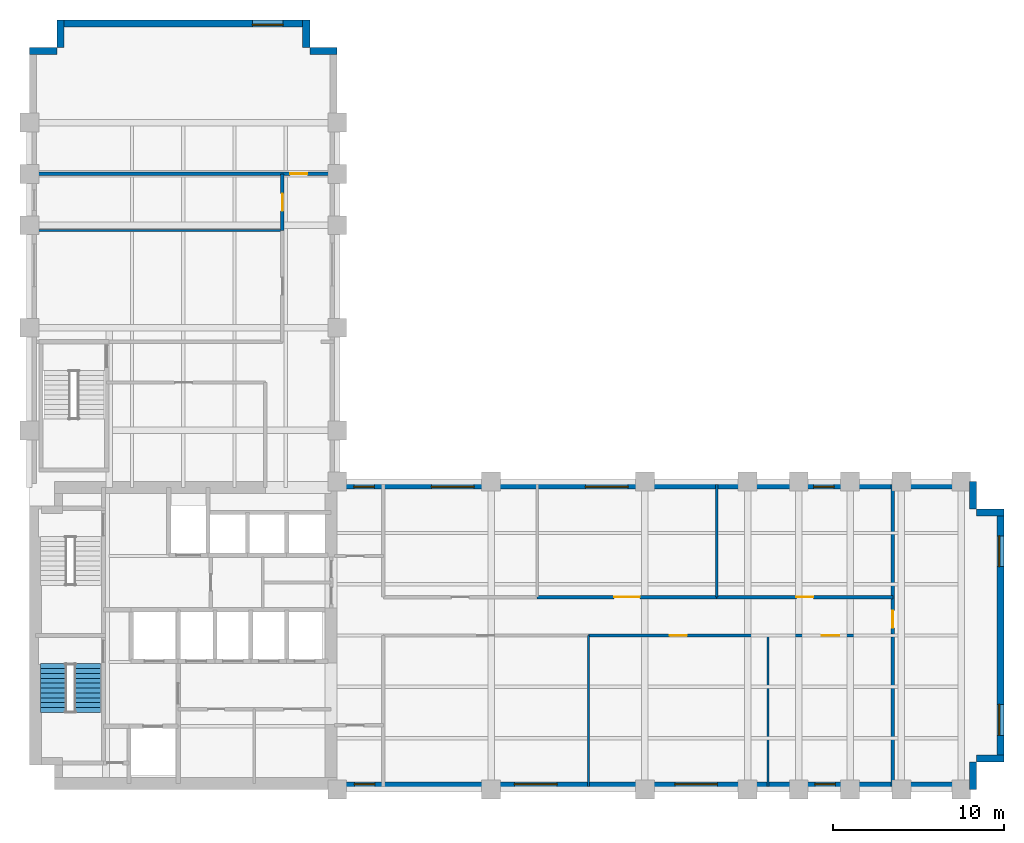
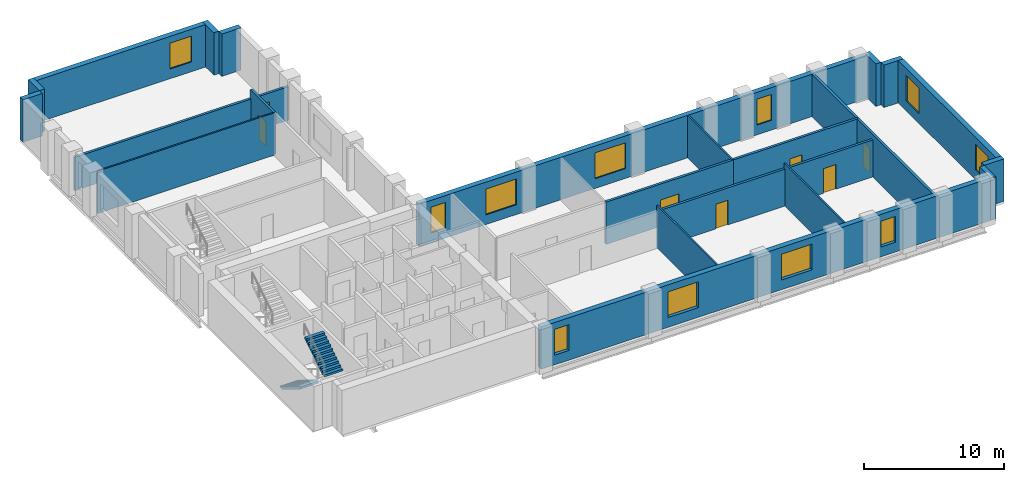
# One storey, part 5 of 7: 23 walls, 11 windows, 7 doors, 2 stair flights, 18 openings, 1 element without a shape of its own.
"""IFC4 building model written with IfcOpenShell, lengths in metres."""

from ifc_helpers import new_model, si_unit, direction, frame, frame_2d, origin, place, context, subcontext, project, spatial, polyline, rectangle, outline, extrude, material, layer, layer_set, type_object, element, fill, aggregate, save


model = new_model("IFC4")

# Units and contexts
model_context = context("Model", 3, precision=1e-05, world=origin(), true_north=direction((0.0, 1.0)))
body_context = subcontext(model_context, "Body", "Model", "MODEL_VIEW")
ifc_project = project(units=[si_unit("LENGTHUNIT", "METRE"), si_unit("AREAUNIT", "SQUARE_METRE"), si_unit("VOLUMEUNIT", "CUBIC_METRE"), si_unit("PLANEANGLEUNIT", "RADIAN"), si_unit("MASSUNIT", "GRAM", prefix="KILO")], contexts=[model_context])

# Site, building, storey
site_placement = place(None, origin())
site = spatial("IfcSite", under=ifc_project, at=site_placement, CompositionType="ELEMENT")
building_placement = place(site_placement, origin())
building = spatial("IfcBuilding", under=site, at=building_placement, Name="Mawjdan Bourse Tower", CompositionType="ELEMENT")
storey_placement = place(building_placement, frame((0.0, 0.0, 112.800048828125)))
storey = spatial("IfcBuildingStorey", under=building, at=storey_placement, Name="L26", CompositionType="ELEMENT", Elevation=112.800048828125)

# Wall, openings, windows
ifc_material_1 = material(Name="Brick Masonry Buff", Category="masonry")
ifc_layer_1 = layer(ifc_material_1, 0.419921875)
ifc_layer_set_1 = layer_set([ifc_layer_1], Name="Brick Masonry Buff")
wall_type_1 = type_object("IfcWallType", Name="WL-BRK-BUFF-420", PredefinedType="STANDARD", material=ifc_layer_set_1)
wall_1_placement = place(storey_placement, frame((23.89990234375, 3.2099609375, 0.0), z_axis=(0.0, 0.0, 1.0), x_axis=(1.0, 0.0, 0.0)))
wall_1 = element("IfcWall", 1, at=wall_1_placement, inside=storey, type_object=wall_type_1, Name="L26 Exterior Brick Wall 1", PredefinedType="STANDARD", context=body_context, shape_type="SweptSolid", body=[
    extrude(rectangle(XDim=37.5, YDim=0.419921875, at=frame_2d((18.75, 0.0))), origin(), (0.0, 0.0, 1.0), 3.699951171875),
])
opening_1_placement = place(wall_1_placement, frame((10.46875, 0.0, 0.85009765625)))
opening_1 = element("IfcOpeningElement", 2, at=opening_1_placement, cuts=wall_1, Name="Opening W-L26-01", PredefinedType="OPENING", context=body_context, shape_type="SweptSolid", body=[
    extrude(rectangle(XDim=2.5, YDim=2.25, at=frame_2d((1.25, 1.125))), frame((0.0, 0.219970703125, 0.0), z_axis=(0.0, -1.0, 0.0), x_axis=(1.0, 0.0, 0.0)), (0.0, 0.0, 1.0), 0.43994140625),
])
opening_2_placement = place(wall_1_placement, frame((19.84375, 0.0, 0.85009765625)))
opening_2 = element("IfcOpeningElement", 3, at=opening_2_placement, cuts=wall_1, Name="Opening W-L26-02", PredefinedType="OPENING", context=body_context, shape_type="SweptSolid", body=[
    extrude(rectangle(XDim=2.5, YDim=2.25, at=frame_2d((1.25, 1.125))), frame((0.0, 0.219970703125, 0.0), z_axis=(0.0, -1.0, 0.0), x_axis=(1.0, 0.0, 0.0)), (0.0, 0.0, 1.0), 0.43994140625),
])
opening_3_placement = place(wall_1_placement, frame((1.10009765625, 0.0, 0.85009765625)))
opening_3 = element("IfcOpeningElement", 4, at=opening_3_placement, cuts=wall_1, Name="Opening W-L26-08", PredefinedType="OPENING", context=body_context, shape_type="SweptSolid", body=[
    extrude(rectangle(XDim=1.199951171875, YDim=2.25, at=frame_2d((0.60009765625, 1.125))), frame((0.0, 0.219970703125, 0.0), z_axis=(0.0, -1.0, 0.0), x_axis=(1.0, 0.0, 0.0)), (0.0, 0.0, 1.0), 0.43994140625),
])
opening_4_placement = place(wall_1_placement, frame((28.0361328125, 0.0, 0.85009765625)))
opening_4 = element("IfcOpeningElement", 5, at=opening_4_placement, cuts=wall_1, Name="Opening W-L26-10", PredefinedType="OPENING", context=body_context, shape_type="SweptSolid", body=[
    extrude(rectangle(XDim=1.199951171875, YDim=2.25, at=frame_2d((0.60009765625, 1.125))), frame((0.0, 0.219970703125, 0.0), z_axis=(0.0, -1.0, 0.0), x_axis=(1.0, 0.0, 0.0)), (0.0, 0.0, 1.0), 0.43994140625),
])
ifc_material_2 = material(Name="Solar-Control Clear Double Glazing", Category="glass")
window_type_1 = type_object("IfcWindowType", Name="WN-Z2-1200", PartitioningType="SINGLE_PANEL", PredefinedType="WINDOW", material=ifc_material_2)
window_1_placement = place(opening_3_placement, origin())
window_1 = element("IfcWindow", 6, at=window_1_placement, inside=storey, type_object=window_type_1, Name="L26 Deep-Set Masonry Window W-L26-08", OverallHeight=2.25, OverallWidth=1.199951171875, PartitioningType="SINGLE_PANEL", PredefinedType="WINDOW", context=body_context, shape_type="SweptSolid", body=[
    extrude(rectangle(XDim=1.199951171875, YDim=2.25, at=frame_2d((0.60009765625, 1.125))), frame((0.0, 0.110107421875, 0.0), z_axis=(0.0, -1.0, 0.0), x_axis=(1.0, 0.0, 0.0)), (0.0, 0.0, 1.0), 0.06005859375),
])
fill(opening_3, window_1)
window_2_placement = place(opening_4_placement, origin())
window_2 = element("IfcWindow", 7, at=window_2_placement, inside=storey, type_object=window_type_1, Name="L26 Deep-Set Masonry Window W-L26-10", OverallHeight=2.25, OverallWidth=1.199951171875, PartitioningType="SINGLE_PANEL", PredefinedType="WINDOW", context=body_context, shape_type="SweptSolid", body=[
    extrude(rectangle(XDim=1.199951171875, YDim=2.25, at=frame_2d((0.60009765625, 1.125))), frame((0.0, 0.110107421875, 0.0), z_axis=(0.0, -1.0, 0.0), x_axis=(1.0, 0.0, 0.0)), (0.0, 0.0, 1.0), 0.06005859375),
])
fill(opening_4, window_2)
window_type_2 = type_object("IfcWindowType", Name="WN-Z2-2500", PartitioningType="SINGLE_PANEL", PredefinedType="WINDOW", material=ifc_material_2)
window_3_placement = place(opening_1_placement, origin())
window_3 = element("IfcWindow", 8, at=window_3_placement, inside=storey, type_object=window_type_2, Name="L26 Deep-Set Masonry Window W-L26-01", OverallHeight=2.25, OverallWidth=2.5, PartitioningType="SINGLE_PANEL", PredefinedType="WINDOW", context=body_context, shape_type="SweptSolid", body=[
    extrude(rectangle(XDim=2.5, YDim=2.25, at=frame_2d((1.25, 1.125))), frame((0.0, 0.110107421875, 0.0), z_axis=(0.0, -1.0, 0.0), x_axis=(1.0, 0.0, 0.0)), (0.0, 0.0, 1.0), 0.06005859375),
])
fill(opening_1, window_3)
window_4_placement = place(opening_2_placement, origin())
window_4 = element("IfcWindow", 9, at=window_4_placement, inside=storey, type_object=window_type_2, Name="L26 Deep-Set Masonry Window W-L26-02", OverallHeight=2.25, OverallWidth=2.5, PartitioningType="SINGLE_PANEL", PredefinedType="WINDOW", context=body_context, shape_type="SweptSolid", body=[
    extrude(rectangle(XDim=2.5, YDim=2.25, at=frame_2d((1.25, 1.125))), frame((0.0, 0.110107421875, 0.0), z_axis=(0.0, -1.0, 0.0), x_axis=(1.0, 0.0, 0.0)), (0.0, 0.0, 1.0), 0.06005859375),
])
fill(opening_2, window_4)

# Walls
for number, where, z_axis, x_axis, name in (
    (10, (61.18994140625, 3.0, 0.0), (0.0, 0.0, 1.0), (0.0, 1.0, 0.0), "L26 Exterior Brick Wall 2"),
    (11, (61.39990234375, 4.81005859375, 0.0), (0.0, 0.0, 1.0), (1.0, 0.0, 0.0), "L26 Exterior Brick Wall 3"),
):
    element("IfcWall", number, at=place(storey_placement, frame(where, z_axis=z_axis, x_axis=x_axis)), inside=storey, type_object=wall_type_1, Name=name, PredefinedType="STANDARD", context=body_context, shape_type="SweptSolid", body=[
        extrude(rectangle(XDim=1.60009765625, YDim=0.419921875, at=frame_2d((0.800048828125, 0.0))), origin(), (0.0, 0.0, 1.0), 3.699951171875),
    ])

# Wall, openings, windows
wall_2_placement = place(storey_placement, frame((62.7900390625, 4.60009765625, 0.0), z_axis=(0.0, 0.0, 1.0), x_axis=(0.0, 1.0, 0.0)))
wall_2 = element("IfcWall", 12, at=wall_2_placement, inside=storey, type_object=wall_type_1, Name="L26 Exterior Brick Wall 4", PredefinedType="STANDARD", context=body_context, shape_type="SweptSolid", body=[
    extrude(rectangle(XDim=14.7998046875, YDim=0.419921875, at=frame_2d((7.39990234375, 0.0))), origin(), (0.0, 0.0, 1.0), 3.699951171875),
])
opening_5_placement = place(wall_2_placement, frame((1.566650390625, 0.0, 0.85009765625)))
opening_5 = element("IfcOpeningElement", 13, at=opening_5_placement, cuts=wall_2, Name="Opening W-L26-03", PredefinedType="OPENING", context=body_context, shape_type="SweptSolid", body=[
    extrude(rectangle(XDim=1.800048828125, YDim=2.25, at=frame_2d((0.89990234375, 1.125))), frame((0.0, 0.219970703125, 0.0), z_axis=(0.0, -1.0, 0.0), x_axis=(1.0, 0.0, 0.0)), (0.0, 0.0, 1.0), 0.43994140625),
])
opening_6_placement = place(wall_2_placement, frame((11.433349609375, 0.0, 0.85009765625)))
opening_6 = element("IfcOpeningElement", 14, at=opening_6_placement, cuts=wall_2, Name="Opening W-L26-04", PredefinedType="OPENING", context=body_context, shape_type="SweptSolid", body=[
    extrude(rectangle(XDim=1.800048828125, YDim=2.25, at=frame_2d((0.89990234375, 1.125))), frame((0.0, 0.219970703125, 0.0), z_axis=(0.0, -1.0, 0.0), x_axis=(1.0, 0.0, 0.0)), (0.0, 0.0, 1.0), 0.43994140625),
])
window_type_3 = type_object("IfcWindowType", Name="WN-Z2-1800", PartitioningType="SINGLE_PANEL", PredefinedType="WINDOW", material=ifc_material_2)
window_5_placement = place(opening_5_placement, origin())
window_5 = element("IfcWindow", 15, at=window_5_placement, inside=storey, type_object=window_type_3, Name="L26 Deep-Set Masonry Window W-L26-03", OverallHeight=2.25, OverallWidth=1.800048828125, PartitioningType="SINGLE_PANEL", PredefinedType="WINDOW", context=body_context, shape_type="SweptSolid", body=[
    extrude(rectangle(XDim=1.800048828125, YDim=2.25, at=frame_2d((0.89990234375, 1.125))), frame((0.0, 0.110107421875, 0.0), z_axis=(0.0, -1.0, 0.0), x_axis=(1.0, 0.0, 0.0)), (0.0, 0.0, 1.0), 0.06005859375),
])
fill(opening_5, window_5)
window_6_placement = place(opening_6_placement, origin())
window_6 = element("IfcWindow", 16, at=window_6_placement, inside=storey, type_object=window_type_3, Name="L26 Deep-Set Masonry Window W-L26-04", OverallHeight=2.25, OverallWidth=1.800048828125, PartitioningType="SINGLE_PANEL", PredefinedType="WINDOW", context=body_context, shape_type="SweptSolid", body=[
    extrude(rectangle(XDim=1.800048828125, YDim=2.25, at=frame_2d((0.89990234375, 1.125))), frame((0.0, 0.110107421875, 0.0), z_axis=(0.0, -1.0, 0.0), x_axis=(1.0, 0.0, 0.0)), (0.0, 0.0, 1.0), 0.06005859375),
])
fill(opening_6, window_6)

# Walls
for number, where, z_axis, x_axis, name in (
    (17, (63.0, 19.18994140625, 0.0), (0.0, 0.0, 1.0), (-1.0, 0.0, 0.0), "L26 Exterior Brick Wall 5"),
    (18, (61.18994140625, 19.39990234375, 0.0), (0.0, 0.0, 1.0), (0.0, 1.0, 0.0), "L26 Exterior Brick Wall 6"),
):
    element("IfcWall", number, at=place(storey_placement, frame(where, z_axis=z_axis, x_axis=x_axis)), inside=storey, type_object=wall_type_1, Name=name, PredefinedType="STANDARD", context=body_context, shape_type="SweptSolid", body=[
        extrude(rectangle(XDim=1.60009765625, YDim=0.419921875, at=frame_2d((0.800048828125, 0.0))), origin(), (0.0, 0.0, 1.0), 3.699951171875),
    ])

# Wall, openings, windows
wall_3_placement = place(storey_placement, frame((61.39990234375, 20.7900390625, 0.0), z_axis=(0.0, 0.0, 1.0), x_axis=(-1.0, 0.0, 0.0)))
wall_3 = element("IfcWall", 19, at=wall_3_placement, inside=storey, type_object=wall_type_1, Name="L26 Exterior Brick Wall 7", PredefinedType="STANDARD", context=body_context, shape_type="SweptSolid", body=[
    extrude(rectangle(XDim=37.39990234375, YDim=0.419921875, at=frame_2d((18.699951171875, 0.0))), origin(), (0.0, 0.0, 1.0), 3.699951171875),
])
opening_7_placement = place(wall_3_placement, frame((35.22216796875, 0.0, 0.85009765625)))
opening_7 = element("IfcOpeningElement", 20, at=opening_7_placement, cuts=wall_3, Name="Opening W-L26-09", PredefinedType="OPENING", context=body_context, shape_type="SweptSolid", body=[
    extrude(rectangle(XDim=1.199951171875, YDim=2.25, at=frame_2d((0.60009765625, 1.125))), frame((0.0, 0.219970703125, 0.0), z_axis=(0.0, -1.0, 0.0), x_axis=(1.0, 0.0, 0.0)), (0.0, 0.0, 1.0), 0.43994140625),
])
opening_8_placement = place(wall_3_placement, frame((29.38623046875, 0.0, 0.85009765625)))
opening_8 = element("IfcOpeningElement", 21, at=opening_8_placement, cuts=wall_3, Name="Opening W-L26-11", PredefinedType="OPENING", context=body_context, shape_type="SweptSolid", body=[
    extrude(rectangle(XDim=2.5, YDim=2.25, at=frame_2d((1.25, 1.125))), frame((0.0, 0.219970703125, 0.0), z_axis=(0.0, -1.0, 0.0), x_axis=(1.0, 0.0, 0.0)), (0.0, 0.0, 1.0), 0.43994140625),
])
opening_9_placement = place(wall_3_placement, frame((20.38623046875, 0.0, 0.85009765625)))
opening_9 = element("IfcOpeningElement", 22, at=opening_9_placement, cuts=wall_3, Name="Opening W-L26-12", PredefinedType="OPENING", context=body_context, shape_type="SweptSolid", body=[
    extrude(rectangle(XDim=2.5, YDim=2.25, at=frame_2d((1.25, 1.125))), frame((0.0, 0.219970703125, 0.0), z_axis=(0.0, -1.0, 0.0), x_axis=(1.0, 0.0, 0.0)), (0.0, 0.0, 1.0), 0.43994140625),
])
opening_10_placement = place(wall_3_placement, frame((8.336181640625, 0.0, 0.85009765625)))
opening_10 = element("IfcOpeningElement", 23, at=opening_10_placement, cuts=wall_3, Name="Opening W-L26-13", PredefinedType="OPENING", context=body_context, shape_type="SweptSolid", body=[
    extrude(rectangle(XDim=1.199951171875, YDim=2.25, at=frame_2d((0.60009765625, 1.125))), frame((0.0, 0.219970703125, 0.0), z_axis=(0.0, -1.0, 0.0), x_axis=(1.0, 0.0, 0.0)), (0.0, 0.0, 1.0), 0.43994140625),
])
window_7_placement = place(opening_7_placement, origin())
window_7 = element("IfcWindow", 24, at=window_7_placement, inside=storey, type_object=window_type_1, Name="L26 Deep-Set Masonry Window W-L26-09", OverallHeight=2.25, OverallWidth=1.199951171875, PartitioningType="SINGLE_PANEL", PredefinedType="WINDOW", context=body_context, shape_type="SweptSolid", body=[
    extrude(rectangle(XDim=1.199951171875, YDim=2.25, at=frame_2d((0.60009765625, 1.125))), frame((0.0, 0.110107421875, 0.0), z_axis=(0.0, -1.0, 0.0), x_axis=(1.0, 0.0, 0.0)), (0.0, 0.0, 1.0), 0.06005859375),
])
fill(opening_7, window_7)
window_8_placement = place(opening_10_placement, origin())
window_8 = element("IfcWindow", 25, at=window_8_placement, inside=storey, type_object=window_type_1, Name="L26 Deep-Set Masonry Window W-L26-13", OverallHeight=2.25, OverallWidth=1.199951171875, PartitioningType="SINGLE_PANEL", PredefinedType="WINDOW", context=body_context, shape_type="SweptSolid", body=[
    extrude(rectangle(XDim=1.199951171875, YDim=2.25, at=frame_2d((0.60009765625, 1.125))), frame((0.0, 0.110107421875, 0.0), z_axis=(0.0, -1.0, 0.0), x_axis=(1.0, 0.0, 0.0)), (0.0, 0.0, 1.0), 0.06005859375),
])
fill(opening_10, window_8)
window_9_placement = place(opening_8_placement, origin())
window_9 = element("IfcWindow", 26, at=window_9_placement, inside=storey, type_object=window_type_2, Name="L26 Deep-Set Masonry Window W-L26-11", OverallHeight=2.25, OverallWidth=2.5, PartitioningType="SINGLE_PANEL", PredefinedType="WINDOW", context=body_context, shape_type="SweptSolid", body=[
    extrude(rectangle(XDim=2.5, YDim=2.25, at=frame_2d((1.25, 1.125))), frame((0.0, 0.110107421875, 0.0), z_axis=(0.0, -1.0, 0.0), x_axis=(1.0, 0.0, 0.0)), (0.0, 0.0, 1.0), 0.06005859375),
])
fill(opening_8, window_9)
window_10_placement = place(opening_9_placement, origin())
window_10 = element("IfcWindow", 27, at=window_10_placement, inside=storey, type_object=window_type_2, Name="L26 Deep-Set Masonry Window W-L26-12", OverallHeight=2.25, OverallWidth=2.5, PartitioningType="SINGLE_PANEL", PredefinedType="WINDOW", context=body_context, shape_type="SweptSolid", body=[
    extrude(rectangle(XDim=2.5, YDim=2.25, at=frame_2d((1.25, 1.125))), frame((0.0, 0.110107421875, 0.0), z_axis=(0.0, -1.0, 0.0), x_axis=(1.0, 0.0, 0.0)), (0.0, 0.0, 1.0), 0.06005859375),
])
fill(opening_9, window_10)

# Walls
for number, where, z_axis, x_axis, name in (
    (28, (24.0, 46.18994140625, 0.0), (0.0, 0.0, 1.0), (-1.0, 0.0, 0.0), "L26 Exterior Brick Wall 9"),
    (29, (22.18994140625, 46.39990234375, 0.0), (0.0, 0.0, 1.0), (0.0, 1.0, 0.0), "L26 Exterior Brick Wall 10"),
):
    element("IfcWall", number, at=place(storey_placement, frame(where, z_axis=z_axis, x_axis=x_axis)), inside=storey, type_object=wall_type_1, Name=name, PredefinedType="STANDARD", context=body_context, shape_type="SweptSolid", body=[
        extrude(rectangle(XDim=1.60009765625, YDim=0.419921875, at=frame_2d((0.800048828125, 0.0))), origin(), (0.0, 0.0, 1.0), 3.699951171875),
    ])

# Wall, opening, window
wall_4_placement = place(storey_placement, frame((22.39990234375, 47.7900390625, 0.0), z_axis=(0.0, 0.0, 1.0), x_axis=(-1.0, 0.0, 0.0)))
wall_4 = element("IfcWall", 30, at=wall_4_placement, inside=storey, type_object=wall_type_1, Name="L26 Exterior Brick Wall 11", PredefinedType="STANDARD", context=body_context, shape_type="SweptSolid", body=[
    extrude(rectangle(XDim=14.7998046875, YDim=0.419921875, at=frame_2d((7.39990234375, 0.0))), origin(), (0.0, 0.0, 1.0), 3.699951171875),
])
opening_11_placement = place(wall_4_placement, frame((1.566650390625, 0.0, 0.85009765625)))
opening_11 = element("IfcOpeningElement", 31, at=opening_11_placement, cuts=wall_4, Name="Opening W-L26-06", PredefinedType="OPENING", context=body_context, shape_type="SweptSolid", body=[
    extrude(rectangle(XDim=1.800048828125, YDim=2.25, at=frame_2d((0.89990234375, 1.125))), frame((0.0, 0.219970703125, 0.0), z_axis=(0.0, -1.0, 0.0), x_axis=(1.0, 0.0, 0.0)), (0.0, 0.0, 1.0), 0.43994140625),
])
window_11_placement = place(opening_11_placement, origin())
window_11 = element("IfcWindow", 32, at=window_11_placement, inside=storey, type_object=window_type_3, Name="L26 Deep-Set Masonry Window W-L26-06", OverallHeight=2.25, OverallWidth=1.800048828125, PartitioningType="SINGLE_PANEL", PredefinedType="WINDOW", context=body_context, shape_type="SweptSolid", body=[
    extrude(rectangle(XDim=1.800048828125, YDim=2.25, at=frame_2d((0.89990234375, 1.125))), frame((0.0, 0.110107421875, 0.0), z_axis=(0.0, -1.0, 0.0), x_axis=(1.0, 0.0, 0.0)), (0.0, 0.0, 1.0), 0.06005859375),
])
fill(opening_11, window_11)

# Walls
for number, where, z_axis, x_axis, name in (
    (33, (7.81005859375, 48.0, 0.0), (0.0, 0.0, 1.0), (0.0, -1.0, 0.0), "L26 Exterior Brick Wall 12"),
    (34, (7.60009765625, 46.18994140625, 0.0), (0.0, 0.0, 1.0), (-1.0, 0.0, 0.0), "L26 Exterior Brick Wall 13"),
):
    element("IfcWall", number, at=place(storey_placement, frame(where, z_axis=z_axis, x_axis=x_axis)), inside=storey, type_object=wall_type_1, Name=name, PredefinedType="STANDARD", context=body_context, shape_type="SweptSolid", body=[
        extrude(rectangle(XDim=1.60009765625, YDim=0.419921875, at=frame_2d((0.800048828125, 0.0))), origin(), (0.0, 0.0, 1.0), 3.699951171875),
    ])

# Wall, opening, door
ifc_material_3 = material(Name="Gypsum Fireboard Assembly")
ifc_layer_2 = layer(ifc_material_3, 0.199951171875)
ifc_layer_set_2 = layer_set([ifc_layer_2], Name="Gypsum Fireboard Assembly")
wall_type_2 = type_object("IfcWallType", Name="WL-CMP-200", PredefinedType="PARTITIONING", material=ifc_layer_set_2)
wall_5_placement = place(storey_placement, frame((38.699951171875, 12.0, 0.0), z_axis=(0.0, 0.0, 1.0), x_axis=(1.0, 0.0, 0.0)))
wall_5 = element("IfcWall", 35, at=wall_5_placement, inside=storey, type_object=wall_type_2, Name="L26 Corporate Finance Office Corridor Wall", PredefinedType="PARTITIONING", context=body_context, shape_type="SweptSolid", body=[
    extrude(rectangle(XDim=10.5, YDim=0.199951171875, at=frame_2d((5.25, 0.0))), origin(), (0.0, 0.0, 1.0), 3.22705078125),
])
opening_12_placement = place(wall_5_placement, frame((4.75, 0.0, 0.0)))
opening_12 = element("IfcOpeningElement", 36, at=opening_12_placement, cuts=wall_5, Name="Opening D-L26-23", PredefinedType="OPENING", context=body_context, shape_type="SweptSolid", body=[
    extrude(rectangle(XDim=1.0, YDim=2.14990234375, at=frame_2d((0.5, 1.074951171875))), frame((0.0, 0.10986328125, 0.0), z_axis=(0.0, -1.0, 0.0), x_axis=(1.0, 0.0, 0.0)), (0.0, 0.0, 1.0), 0.219970703125),
])
ifc_material_4 = material(Name="Hardwood Acoustic Leaf", Category="wood")
door_type_1 = type_object("IfcDoorType", Name="DR-OFC-1000", OperationType="NOTDEFINED", PredefinedType="DOOR", material=ifc_material_4)
door_1_placement = place(opening_12_placement, origin())
door_1 = element("IfcDoor", 37, at=door_1_placement, inside=storey, type_object=door_type_1, Name="L26 Corporate Finance Office Door D-L26-23", OperationType="SINGLE_SWING_RIGHT", OverallHeight=2.14990234375, OverallWidth=1.0, PredefinedType="DOOR", context=body_context, shape_type="SweptSolid", body=[
    extrude(rectangle(XDim=1.0, YDim=2.14990234375, at=frame_2d((0.5, 1.074951171875))), frame((0.0, 0.02490234375, 0.0), z_axis=(0.0, -1.0, 0.0), x_axis=(1.0, 0.0, 0.0)), (0.0, 0.0, 1.0), 0.050048828125),
])
fill(opening_12, door_1)

wall_6_placement = place(storey_placement, frame((49.199951171875, 12.0, 0.0), z_axis=(0.0, 0.0, 1.0), x_axis=(1.0, 0.0, 0.0)))
wall_6 = element("IfcWall", 38, at=wall_6_placement, inside=storey, type_object=wall_type_2, Name="L26 Executive Office Corridor Wall", PredefinedType="PARTITIONING", context=body_context, shape_type="SweptSolid", body=[
    extrude(rectangle(XDim=7.300048828125, YDim=0.199951171875, at=frame_2d((3.64990234375, 0.0))), origin(), (0.0, 0.0, 1.0), 3.22705078125),
])
opening_13_placement = place(wall_6_placement, frame((3.14990234375, 0.0, 0.0)))
opening_13 = element("IfcOpeningElement", 39, at=opening_13_placement, cuts=wall_6, Name="Opening D-L26-24", PredefinedType="OPENING", context=body_context, shape_type="SweptSolid", body=[
    extrude(rectangle(XDim=1.0, YDim=2.14990234375, at=frame_2d((0.5, 1.074951171875))), frame((0.0, 0.10986328125, 0.0), z_axis=(0.0, -1.0, 0.0), x_axis=(1.0, 0.0, 0.0)), (0.0, 0.0, 1.0), 0.219970703125),
])
door_2_placement = place(opening_13_placement, origin())
door_2 = element("IfcDoor", 40, at=door_2_placement, inside=storey, type_object=door_type_1, Name="L26 Executive Office Door D-L26-24", OperationType="SINGLE_SWING_LEFT", OverallHeight=2.14990234375, OverallWidth=1.0, PredefinedType="DOOR", context=body_context, shape_type="SweptSolid", body=[
    extrude(rectangle(XDim=1.0, YDim=2.14990234375, at=frame_2d((0.5, 1.074951171875))), frame((0.0, 0.02490234375, 0.0), z_axis=(0.0, -1.0, 0.0), x_axis=(1.0, 0.0, 0.0)), (0.0, 0.0, 1.0), 0.050048828125),
])
fill(opening_13, door_2)

wall_7_placement = place(storey_placement, frame((35.699951171875, 14.25, 0.0), z_axis=(0.0, 0.0, 1.0), x_axis=(1.0, 0.0, 0.0)))
wall_7 = element("IfcWall", 41, at=wall_7_placement, inside=storey, type_object=wall_type_2, Name="L26 Conference Room Corridor Wall", PredefinedType="PARTITIONING", context=body_context, shape_type="SweptSolid", body=[
    extrude(rectangle(XDim=10.5, YDim=0.199951171875, at=frame_2d((5.25, 0.0))), origin(), (0.0, 0.0, 1.0), 3.68994140625),
])
opening_14_placement = place(wall_7_placement, frame((4.5, 0.0, 0.0)))
opening_14 = element("IfcOpeningElement", 42, at=opening_14_placement, cuts=wall_7, Name="Opening D-L26-26", PredefinedType="OPENING", context=body_context, shape_type="SweptSolid", body=[
    extrude(rectangle(XDim=1.5, YDim=2.300048828125, at=frame_2d((0.75, 1.14990234375))), frame((0.0, 0.10986328125, 0.0), z_axis=(0.0, -1.0, 0.0), x_axis=(1.0, 0.0, 0.0)), (0.0, 0.0, 1.0), 0.219970703125),
])
ifc_material_5 = material(Name="Acoustic Glazed Timber", Category="wood")
door_type_2 = type_object("IfcDoorType", Name="DR-CNF-1500", OperationType="DOUBLE_DOOR_SINGLE_SWING", PredefinedType="DOOR", material=ifc_material_5)
door_3_placement = place(opening_14_placement, origin())
door_3 = element("IfcDoor", 43, at=door_3_placement, inside=storey, type_object=door_type_2, Name="L26 Conference Room Door D-L26-26", OperationType="DOUBLE_DOOR_SINGLE_SWING", OverallHeight=2.300048828125, OverallWidth=1.5, PredefinedType="DOOR", context=body_context, shape_type="SweptSolid", body=[
    extrude(rectangle(XDim=1.5, YDim=2.300048828125, at=frame_2d((0.75, 1.14990234375))), frame((0.0, 0.02490234375, 0.0), z_axis=(0.0, -1.0, 0.0), x_axis=(1.0, 0.0, 0.0)), (0.0, 0.0, 1.0), 0.050048828125),
])
fill(opening_14, door_3)

wall_8_placement = place(storey_placement, frame((46.199951171875, 14.25, 0.0), z_axis=(0.0, 0.0, 1.0), x_axis=(1.0, 0.0, 0.0)))
wall_8 = element("IfcWall", 44, at=wall_8_placement, inside=storey, type_object=wall_type_2, Name="L26 Legal Archive Library Corridor Wall", PredefinedType="PARTITIONING", context=body_context, shape_type="SweptSolid", body=[
    extrude(rectangle(XDim=10.300048828125, YDim=0.199951171875, at=frame_2d((5.14990234375, 0.0))), origin(), (0.0, 0.0, 1.0), 3.68994140625),
])
opening_15_placement = place(wall_8_placement, frame((4.64990234375, 0.0, 0.0)))
opening_15 = element("IfcOpeningElement", 45, at=opening_15_placement, cuts=wall_8, Name="Opening D-L26-27", PredefinedType="OPENING", context=body_context, shape_type="SweptSolid", body=[
    extrude(rectangle(XDim=1.0, YDim=2.14990234375, at=frame_2d((0.5, 1.074951171875))), frame((0.0, 0.10986328125, 0.0), z_axis=(0.0, -1.0, 0.0), x_axis=(1.0, 0.0, 0.0)), (0.0, 0.0, 1.0), 0.219970703125),
])
door_4_placement = place(opening_15_placement, origin())
door_4 = element("IfcDoor", 46, at=door_4_placement, inside=storey, type_object=door_type_1, Name="L26 Legal Archive Library Door D-L26-27", OperationType="SINGLE_SWING_LEFT", OverallHeight=2.14990234375, OverallWidth=1.0, PredefinedType="DOOR", context=body_context, shape_type="SweptSolid", body=[
    extrude(rectangle(XDim=1.0, YDim=2.14990234375, at=frame_2d((0.5, 1.074951171875))), frame((0.0, 0.02490234375, 0.0), z_axis=(0.0, -1.0, 0.0), x_axis=(1.0, 0.0, 0.0)), (0.0, 0.0, 1.0), 0.050048828125),
])
fill(opening_15, door_4)

wall_9_placement = place(storey_placement, frame((56.5, 3.179931640625, 0.0), z_axis=(0.0, 0.0, 1.0), x_axis=(0.0, 1.0, 0.0)))
wall_9 = element("IfcWall", 47, at=wall_9_placement, inside=storey, type_object=wall_type_2, Name="L26 East Tip Full Cross Wall", PredefinedType="PARTITIONING", context=body_context, shape_type="SweptSolid", body=[
    extrude(rectangle(XDim=17.64013671875, YDim=0.199951171875, at=frame_2d((8.820068359375, 0.0))), origin(), (0.0, 0.0, 1.0), 3.68994140625),
])
opening_16_placement = place(wall_9_placement, frame((9.27490234375, 0.0, 0.0)))
opening_16 = element("IfcOpeningElement", 48, at=opening_16_placement, cuts=wall_9, Name="Opening D-L26-28", PredefinedType="OPENING", context=body_context, shape_type="SweptSolid", body=[
    extrude(rectangle(XDim=1.0, YDim=2.14990234375, at=frame_2d((0.5, 1.074951171875))), frame((0.0, 0.10986328125, 0.0), z_axis=(0.0, -1.0, 0.0), x_axis=(1.0, 0.0, 0.0)), (0.0, 0.0, 1.0), 0.219970703125),
])
door_5_placement = place(opening_16_placement, origin())
door_5 = element("IfcDoor", 49, at=door_5_placement, inside=storey, type_object=door_type_1, Name="L26 East Tip Hall Door D-L26-28", OperationType="SINGLE_SWING_RIGHT", OverallHeight=2.14990234375, OverallWidth=1.0, PredefinedType="DOOR", context=body_context, shape_type="SweptSolid", body=[
    extrude(rectangle(XDim=1.0, YDim=2.14990234375, at=frame_2d((0.5, 1.074951171875))), frame((0.0, 0.02490234375, 0.0), z_axis=(0.0, -1.0, 0.0), x_axis=(1.0, 0.0, 0.0)), (0.0, 0.0, 1.0), 0.050048828125),
])
fill(opening_16, door_5)

wall_10_placement = place(storey_placement, frame((20.800048828125, 35.679931640625, 0.0), z_axis=(0.0, 0.0, 1.0), x_axis=(0.0, 1.0, 0.0)))
wall_10 = element("IfcWall", 50, at=wall_10_placement, inside=storey, type_object=wall_type_2, Name="L26 Executive Office Corridor Wall", PredefinedType="PARTITIONING", context=body_context, shape_type="SweptSolid", body=[
    extrude(rectangle(XDim=3.320068359375, YDim=0.199951171875, at=frame_2d((1.66015625, 0.0))), origin(), (0.0, 0.0, 1.0), 3.68994140625),
])
opening_17_placement = place(wall_10_placement, frame((1.159912109375, 0.0, 0.0)))
opening_17 = element("IfcOpeningElement", 51, at=opening_17_placement, cuts=wall_10, Name="Opening D-L26-31", PredefinedType="OPENING", context=body_context, shape_type="SweptSolid", body=[
    extrude(rectangle(XDim=1.0, YDim=2.14990234375, at=frame_2d((0.5, 1.074951171875))), frame((0.0, 0.10986328125, 0.0), z_axis=(0.0, -1.0, 0.0), x_axis=(1.0, 0.0, 0.0)), (0.0, 0.0, 1.0), 0.219970703125),
])
door_6_placement = place(opening_17_placement, origin())
door_6 = element("IfcDoor", 52, at=door_6_placement, inside=storey, type_object=door_type_1, Name="L26 Executive Office Door D-L26-31", OperationType="SINGLE_SWING_LEFT", OverallHeight=2.14990234375, OverallWidth=1.0, PredefinedType="DOOR", context=body_context, shape_type="SweptSolid", body=[
    extrude(rectangle(XDim=1.0, YDim=2.14990234375, at=frame_2d((0.5, 1.074951171875))), frame((0.0, 0.02490234375, 0.0), z_axis=(0.0, -1.0, 0.0), x_axis=(1.0, 0.0, 0.0)), (0.0, 0.0, 1.0), 0.050048828125),
])
fill(opening_17, door_6)

wall_11_placement = place(storey_placement, frame((6.179931640625, 39.0, 0.0), z_axis=(0.0, 0.0, 1.0), x_axis=(1.0, 0.0, 0.0)))
wall_11 = element("IfcWall", 53, at=wall_11_placement, inside=storey, type_object=wall_type_2, Name="L26 North Tip Full Cross Wall", PredefinedType="PARTITIONING", context=body_context, shape_type="SweptSolid", body=[
    extrude(rectangle(XDim=17.64013671875, YDim=0.199951171875, at=frame_2d((8.820068359375, 0.0))), origin(), (0.0, 0.0, 1.0), 2.9169921875),
])
opening_18_placement = place(wall_11_placement, frame((15.074951171875, 0.0, 0.0)))
opening_18 = element("IfcOpeningElement", 54, at=opening_18_placement, cuts=wall_11, Name="Opening D-L26-32", PredefinedType="OPENING", context=body_context, shape_type="SweptSolid", body=[
    extrude(rectangle(XDim=1.0, YDim=2.14990234375, at=frame_2d((0.5, 1.074951171875))), frame((0.0, 0.10986328125, 0.0), z_axis=(0.0, -1.0, 0.0), x_axis=(1.0, 0.0, 0.0)), (0.0, 0.0, 1.0), 0.219970703125),
])
door_7_placement = place(opening_18_placement, origin())
door_7 = element("IfcDoor", 55, at=door_7_placement, inside=storey, type_object=door_type_1, Name="L26 North Tip Suite Door D-L26-32", OperationType="SINGLE_SWING_RIGHT", OverallHeight=2.14990234375, OverallWidth=1.0, PredefinedType="DOOR", context=body_context, shape_type="SweptSolid", body=[
    extrude(rectangle(XDim=1.0, YDim=2.14990234375, at=frame_2d((0.5, 1.074951171875))), frame((0.0, 0.02490234375, 0.0), z_axis=(0.0, -1.0, 0.0), x_axis=(1.0, 0.0, 0.0)), (0.0, 0.0, 1.0), 0.050048828125),
])
fill(opening_18, door_7)

# Walls
ifc_material_6 = material(Name="Gypsum Partition")
ifc_layer_3 = layer(ifc_material_6, 0.125)
ifc_layer_set_3 = layer_set([ifc_layer_3], Name="Gypsum Partition")
wall_type_3 = type_object("IfcWallType", Name="WL-PRT-125", PredefinedType="PARTITIONING", material=ifc_layer_set_3)
for number, where, z_axis, x_axis, name in (
    (56, (38.699951171875, 3.179931640625, 0.0), (0.0, 0.0, 1.0), (0.0, 1.0, 0.0), "L26 Corporate Finance Office Partition"),
    (57, (49.199951171875, 3.179931640625, 0.0), (0.0, 0.0, 1.0), (0.0, 1.0, 0.0), "L26 Executive Office Partition"),
):
    element("IfcWall", number, at=place(storey_placement, frame(where, z_axis=z_axis, x_axis=x_axis)), inside=storey, type_object=wall_type_3, Name=name, PredefinedType="PARTITIONING", context=body_context, shape_type="SweptSolid", body=[
        extrude(rectangle(XDim=8.820068359375, YDim=0.125, at=frame_2d((4.41015625, 0.0))), origin(), (0.0, 0.0, 1.0), 3.68994140625),
    ])
wall_12_placement = place(storey_placement, frame((46.199951171875, 14.25, 0.0), z_axis=(0.0, 0.0, 1.0), x_axis=(0.0, 1.0, 0.0)))
element("IfcWall", 58, at=wall_12_placement, inside=storey, type_object=wall_type_3, Name="L26 Legal Archive Library Partition", PredefinedType="PARTITIONING", context=body_context, shape_type="SweptSolid", body=[
    extrude(rectangle(XDim=6.570068359375, YDim=0.125, at=frame_2d((3.28515625, 0.0))), origin(), (0.0, 0.0, 1.0), 3.68994140625),
])
wall_13_placement = place(storey_placement, frame((6.179931640625, 35.679931640625, 0.0), z_axis=(0.0, 0.0, 1.0), x_axis=(1.0, 0.0, 0.0)))
element("IfcWall", 59, at=wall_13_placement, inside=storey, type_object=wall_type_3, Name="L26 Executive Office Partition", PredefinedType="PARTITIONING", context=body_context, shape_type="SweptSolid", body=[
    extrude(rectangle(XDim=14.6201171875, YDim=0.125, at=frame_2d((7.31005859375, 0.0))), origin(), (0.0, 0.0, 1.0), 3.68994140625),
])

# Stair, stair flights
ifc_material_7 = material(Name="Concrete C50/60", Category="concrete")
stair_type = type_object("IfcStairType", Name="STR-CORE-1500", PredefinedType="HALF_TURN_STAIR", material=ifc_material_7)
stair_placement = place(storey_placement, origin())
stair = element("IfcStair", 60, at=stair_placement, inside=storey, type_object=stair_type, Name="L26 Exit Stair 1 (Core South-West)", PredefinedType="HALF_TURN_STAIR")
stair_flight_type = type_object("IfcStairFlightType", Name="SFL-RC-1500", PredefinedType="STRAIGHT", material=ifc_material_7)
stair_flight_1_placement = place(storey_placement, frame((7.389892578125, 10.35009765625, 0.0), z_axis=(0.0, 0.0, 1.0), x_axis=(0.0, -1.0, 0.0)))
stair_flight_1 = element("IfcStairFlight", 61, at=stair_flight_1_placement, type_object=stair_flight_type, Name="ST1-L26 flight 1", NumberOfRisers=11, NumberOfTreads=10, PredefinedType="STRAIGHT", RiserHeight=0.177273, TreadLength=0.285, context=body_context, shape_type="SweptSolid", body=[
    extrude(outline(polyline([(0.0, 0.0), (0.0, 0.17724609375), (0.284912109375, 0.17724609375), (0.284912109375, 0.3544921875), (0.570068359375, 0.3544921875), (0.570068359375, 0.53173828125), (0.85498046875, 0.53173828125), (0.85498046875, 0.708984375), (1.139892578125, 0.708984375), (1.139892578125, 0.886474609375), (1.425048828125, 0.886474609375), (1.425048828125, 1.063720703125), (1.7099609375, 1.063720703125), (1.7099609375, 1.240966796875), (1.9951171875, 1.240966796875), (1.9951171875, 1.418212890625), (2.280029296875, 1.418212890625), (2.280029296875, 1.595458984375), (2.56494140625, 1.595458984375), (2.56494140625, 1.772705078125), (2.85009765625, 1.772705078125), (2.85009765625, 1.949951171875), (2.85009765625, 1.58447265625), (0.302734375, 0.0), (0.0, 0.0)])), frame((0.0, 0.75, 0.0), z_axis=(0.0, -1.0, 0.0), x_axis=(1.0, 0.0, 0.0)), (0.0, 0.0, 1.0), 1.5),
])
stair_flight_2_placement = place(storey_placement, frame((9.409912109375, 7.5, 1.949951171875), z_axis=(0.0, 0.0, 1.0), x_axis=(0.0, 1.0, 0.0)))
stair_flight_2 = element("IfcStairFlight", 62, at=stair_flight_2_placement, type_object=stair_flight_type, Name="ST1-L26 flight 2", NumberOfRisers=11, NumberOfTreads=10, PredefinedType="STRAIGHT", RiserHeight=0.177273, TreadLength=0.285, context=body_context, shape_type="SweptSolid", body=[
    extrude(outline(polyline([(0.0, 0.0), (0.0, 0.17724609375), (0.284912109375, 0.17724609375), (0.284912109375, 0.3544921875), (0.570068359375, 0.3544921875), (0.570068359375, 0.53173828125), (0.85498046875, 0.53173828125), (0.85498046875, 0.708984375), (1.139892578125, 0.708984375), (1.139892578125, 0.886474609375), (1.425048828125, 0.886474609375), (1.425048828125, 1.063720703125), (1.7099609375, 1.063720703125), (1.7099609375, 1.240966796875), (1.9951171875, 1.240966796875), (1.9951171875, 1.418212890625), (2.280029296875, 1.418212890625), (2.280029296875, 1.595458984375), (2.56494140625, 1.595458984375), (2.56494140625, 1.772705078125), (2.85009765625, 1.772705078125), (2.85009765625, 1.949951171875), (2.85009765625, 1.58447265625), (0.302734375, 0.0), (0.0, 0.0)])), frame((0.0, 0.75, 0.0), z_axis=(0.0, -1.0, 0.0), x_axis=(1.0, 0.0, 0.0)), (0.0, 0.0, 1.0), 1.5),
])
aggregate(stair, [stair_flight_1, stair_flight_2])

save(model, "model.ifc")
